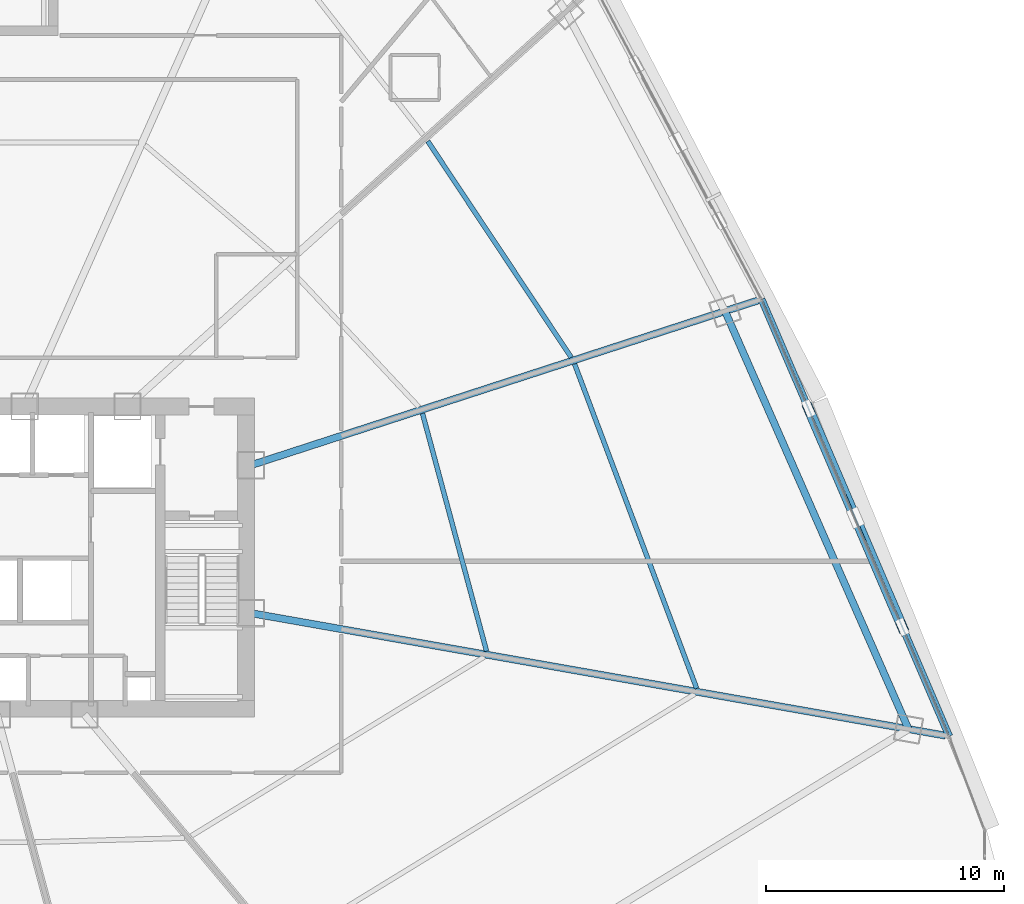
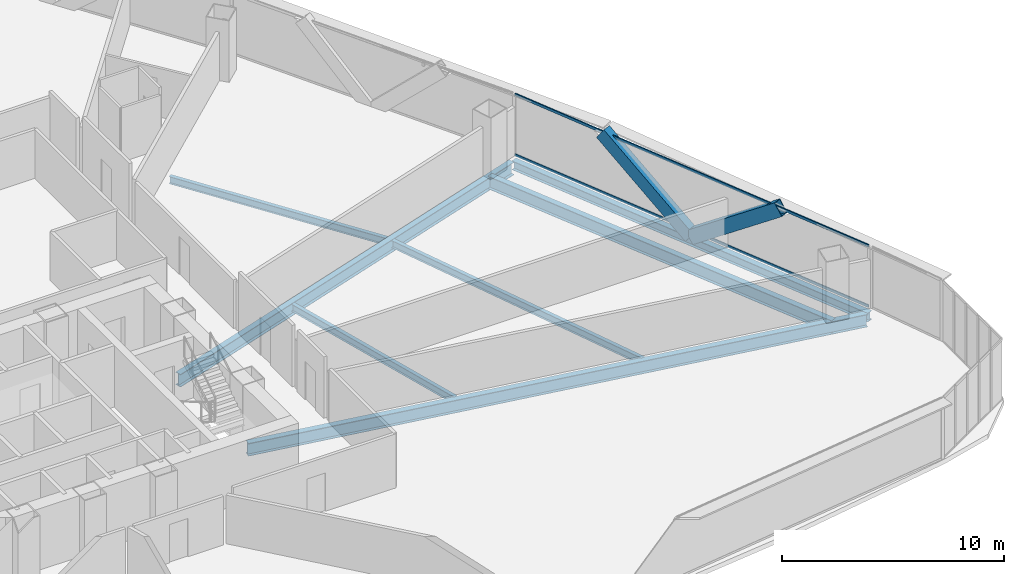
# One storey, part 24 of 42: 7 beams, 4 members, 1 element without a shape of its own.
"""IFC4 building model written with IfcOpenShell, lengths in metres."""

from ifc_helpers import new_model, si_unit, direction, frame, origin, origin_2d, place, context, subcontext, project, spatial, hollow_rectangle, i_section, extrude, source, transform, mapped, material, layer, layer_set, material_profile, profile_set, type_object, element, aggregate, save


model = new_model("IFC4")

# Units and contexts
model_context = context("Model", 3, precision=1e-05, world=origin(), true_north=direction((0.0, 1.0)))
body_context = subcontext(model_context, "Body", "Model", "MODEL_VIEW")
ifc_project = project(units=[si_unit("LENGTHUNIT", "METRE"), si_unit("AREAUNIT", "SQUARE_METRE"), si_unit("VOLUMEUNIT", "CUBIC_METRE"), si_unit("PLANEANGLEUNIT", "RADIAN"), si_unit("MASSUNIT", "GRAM", prefix="KILO"), si_unit("THERMODYNAMICTEMPERATUREUNIT", "KELVIN"), si_unit("POWERUNIT", "WATT")], contexts=[model_context])

# Site, building, storey
site_placement = place(None, origin())
site = spatial("IfcSite", under=ifc_project, at=site_placement, CompositionType="ELEMENT")
building_placement = place(site_placement, origin())
building = spatial("IfcBuilding", under=site, at=building_placement, Name="Yunzhuo Pagoda Commons", CompositionType="ELEMENT")
storey_placement = place(building_placement, frame((0.0, 0.0, 41.2900390625)))
storey = spatial("IfcBuildingStorey", under=building, at=storey_placement, Name="L10", CompositionType="ELEMENT", Elevation=41.2900390625)

# Beams
ifc_material_1 = material(Name="Structural steel Q355B", Category="steel")
ifc_material_profile_1 = material_profile(ifc_material_1, i_section(OverallWidth=0.300048828125, OverallDepth=0.699951171875, WebThickness=0.012939453125, FlangeThickness=0.02392578125, at=origin_2d()), Name="Structural steel Q355B")
ifc_profile_set_1 = profile_set([ifc_material_profile_1], Name="Structural steel Q355B")
beam_type_1 = type_object("IfcBeamType", Name="B-RG1 Beam HN 700x300x13x24", PredefinedType="BEAM", material=ifc_profile_set_1)
shared_shape_1 = source(origin(), body_context, "Body", "SweptSolid", [
    extrude(i_section(OverallWidth=0.300048828125, OverallDepth=0.699951171875, WebThickness=0.012939453125, FlangeThickness=0.02392578125, at=origin_2d()), origin(), (0.0, 0.0, 1.0), 19.18603515625),
])
beam_1_placement = place(storey_placement, frame((88.047607421875, 26.638427734375, -0.610107421875), z_axis=(-0.40196534204, 0.915654882474, 0.0), x_axis=(-0.915654882474, -0.40196534204, 0.0)))
element("IfcBeam", 1, at=beam_1_placement, inside=storey, type_object=beam_type_1, Name="L10 column-ring beam 5", PredefinedType="BEAM", context=body_context, shape_type="MappedRepresentation", body=[
    mapped(shared_shape_1, transform((0.0, 0.0, 0.0), scale=1.0)),
])
ifc_material_profile_2 = material_profile(ifc_material_1, i_section(OverallWidth=0.199951171875, OverallDepth=0.39990234375, WebThickness=0.008056640625, FlangeThickness=0.012939453125, at=origin_2d()), Name="Structural steel Q355B")
ifc_profile_set_2 = profile_set([ifc_material_profile_2], Name="Structural steel Q355B")
beam_type_2 = type_object("IfcBeamType", Name="B-JS1 Joist HN 400x200x8x13", PredefinedType="JOIST", material=ifc_profile_set_2)
shared_shape_2 = source(origin(), body_context, "Body", "SweptSolid", [
    extrude(i_section(OverallWidth=0.199951171875, OverallDepth=0.39990234375, WebThickness=0.008056640625, FlangeThickness=0.012939453125, at=origin_2d()), origin(), (0.0, 0.0, 1.0), 10.351806640625),
])
beam_2_placement = place(storey_placement, frame((70.311767578125, 29.912109375, -0.4599609375), z_axis=(-0.260208595802, 0.965552425646, 0.0), x_axis=(-0.965552425646, -0.260208595802, 0.0)))
element("IfcBeam", 2, at=beam_2_placement, inside=storey, type_object=beam_type_2, Name="L10 composite ring joist 1.5", PredefinedType="JOIST", context=body_context, shape_type="MappedRepresentation", body=[
    mapped(shared_shape_2, transform((0.0, 0.0, 0.0), scale=1.0)),
])
shared_shape_3 = source(origin(), body_context, "Body", "SweptSolid", [
    extrude(i_section(OverallWidth=0.199951171875, OverallDepth=0.39990234375, WebThickness=0.008056640625, FlangeThickness=0.012939453125, at=origin_2d()), origin(), (0.0, 0.0, 1.0), 14.571044921875),
])
beam_3_placement = place(storey_placement, frame((79.144287109375, 28.347412109375, -0.4599609375), z_axis=(-0.352208383632, 0.935921607027, 0.0), x_axis=(-0.935921607027, -0.352208383632, 0.0)))
element("IfcBeam", 3, at=beam_3_placement, inside=storey, type_object=beam_type_2, Name="L10 composite ring joist 2.5", PredefinedType="JOIST", context=body_context, shape_type="MappedRepresentation", body=[
    mapped(shared_shape_3, transform((0.0, 0.0, 0.0), scale=1.0)),
])
shared_shape_4 = source(origin(), body_context, "Body", "SweptSolid", [
    extrude(i_section(OverallWidth=0.199951171875, OverallDepth=0.39990234375, WebThickness=0.008056640625, FlangeThickness=0.012939453125, at=origin_2d()), origin(), (0.0, 0.0, 1.0), 10.904052734375),
])
beam_4_placement = place(storey_placement, frame((73.8681640625, 42.26611328125, -0.4599609375), z_axis=(-0.552916349928, 0.833236767061, 0.0), x_axis=(-0.833236767061, -0.552916349928, 0.0)))
element("IfcBeam", 4, at=beam_4_placement, inside=storey, type_object=beam_type_2, Name="L10 composite ring joist 2.6", PredefinedType="JOIST", context=body_context, shape_type="MappedRepresentation", body=[
    mapped(shared_shape_4, transform((0.0, 0.0, 0.0), scale=1.0)),
])
shared_shape_5 = source(origin(), body_context, "Body", "SweptSolid", [
    extrude(i_section(OverallWidth=0.300048828125, OverallDepth=0.699951171875, WebThickness=0.012939453125, FlangeThickness=0.02392578125, at=origin_2d()), origin(), (0.0, 0.0, 1.0), 29.657470703125),
])
beam_5_placement = place(storey_placement, frame((89.60693359375, 26.363525390625, -0.610107421875), z_axis=(-0.984808244815, 0.173645388492, 0.0), x_axis=(-0.173645388492, -0.984808244815, 0.0)))
element("IfcBeam", 5, at=beam_5_placement, inside=storey, type_object=beam_type_1, Name="L10 radial floor girder F2C1", PredefinedType="BEAM", context=body_context, shape_type="MappedRepresentation", body=[
    mapped(shared_shape_5, transform((0.0, 0.0, 0.0), scale=1.0)),
])
shared_shape_6 = source(origin(), body_context, "Body", "SweptSolid", [
    extrude(i_section(OverallWidth=0.300048828125, OverallDepth=0.699951171875, WebThickness=0.012939453125, FlangeThickness=0.02392578125, at=origin_2d()), origin(), (0.0, 0.0, 1.0), 22.421875),
])
beam_6_placement = place(storey_placement, frame((81.724365234375, 44.65771484375, -0.610107421875), z_axis=(-0.951056871076, -0.309015902469, 0.0), x_axis=(0.309015902469, -0.951056871076, 0.0)))
element("IfcBeam", 6, at=beam_6_placement, inside=storey, type_object=beam_type_1, Name="L10 radial floor girder F2C2", PredefinedType="BEAM", context=body_context, shape_type="MappedRepresentation", body=[
    mapped(shared_shape_6, transform((0.0, 0.0, 0.0), scale=1.0)),
])
ifc_material_profile_3 = material_profile(ifc_material_1, i_section(OverallWidth=0.300048828125, OverallDepth=0.488037109375, WebThickness=0.010986328125, FlangeThickness=0.01806640625, at=origin_2d()), Name="Structural steel Q355B")
ifc_profile_set_3 = profile_set([ifc_material_profile_3], Name="Structural steel Q355B")
beam_type_3 = type_object("IfcBeamType", Name="B-SP1 Beam HM 488x300x11x18", PredefinedType="BEAM", material=ifc_profile_set_3)
shared_shape_7 = source(origin(), body_context, "Body", "SweptSolid", [
    extrude(i_section(OverallWidth=0.300048828125, OverallDepth=0.488037109375, WebThickness=0.010986328125, FlangeThickness=0.01806640625, at=origin_2d()), origin(), (0.0, 0.0, 1.0), 19.990966796875),
])
beam_7_placement = place(storey_placement, frame((89.759765625, 26.336669921875, -0.504150390625), z_axis=(-0.394586883205, 0.918858635266, 0.0), x_axis=(-0.918858635266, -0.394586883205, 0.0)))
element("IfcBeam", 7, at=beam_7_placement, inside=storey, type_object=beam_type_3, Name="L10 facade edge spandrel beam F2.1", PredefinedType="BEAM", context=body_context, shape_type="MappedRepresentation", body=[
    mapped(shared_shape_7, transform((0.0, 0.0, 0.0), scale=1.0)),
])

# Members
ifc_material_2 = material(Name="Structural steel Q420B", Category="steel")
ifc_material_profile_4 = material_profile(ifc_material_2, hollow_rectangle(XDim=0.419921875, YDim=0.719970703125, WallThickness=0.028076171875, at=origin_2d()), Name="Structural steel Q420B")
ifc_profile_set_4 = profile_set([ifc_material_profile_4], Name="Structural steel Q420B")
member_type_1 = type_object("IfcMemberType", Name="M-DL1 Brace BOX 720x420x28", PredefinedType="BRACE", material=ifc_profile_set_4)
shared_shape_8 = source(origin(), body_context, "Body", "SweptSolid", [
    extrude(hollow_rectangle(XDim=0.419921875, YDim=0.719970703125, WallThickness=0.028076171875, at=origin_2d()), origin(), (0.0, 0.0, 1.0), 6.1767578125),
])
member_1_placement = place(storey_placement, frame((85.815673828125, 35.52099609375, -0.260009765625), z_axis=(0.319253043382, -0.743448123434, 0.58767540535), x_axis=(0.918861786728, 0.394579544441, 0.0)))
element("IfcMember", 8, at=member_1_placement, inside=storey, type_object=member_type_1, Name="L10 facade diamond brace F2.1L", PredefinedType="BRACE", context=body_context, shape_type="MappedRepresentation", body=[
    mapped(shared_shape_8, transform((0.0, 0.0, 0.0), scale=1.0)),
])
shared_shape_9 = source(origin(), body_context, "Body", "SweptSolid", [
    extrude(hollow_rectangle(XDim=0.419921875, YDim=0.719970703125, WallThickness=0.028076171875, at=origin_2d()), origin(), (0.0, 0.0, 1.0), 6.177001953125),
])
member_2_placement = place(storey_placement, frame((85.815673828125, 35.52099609375, -0.260009765625), z_axis=(-0.319279158185, 0.743456420583, 0.587650720958), x_axis=(-0.918851680961, -0.394603077023, 0.0)))
element("IfcMember", 9, at=member_2_placement, inside=storey, type_object=member_type_1, Name="L10 facade diamond brace F2.1R", PredefinedType="BRACE", context=body_context, shape_type="MappedRepresentation", body=[
    mapped(shared_shape_9, transform((0.0, 0.0, 0.0), scale=1.0)),
])

# Curtain wall, members
ifc_material_3 = material(Name="Anodized aluminium 6063-T6", Category="aluminium")
ifc_layer = layer(ifc_material_3, 0.1650390625)
ifc_layer_set = layer_set([ifc_layer], Name="Anodized aluminium 6063-T6")
curtain_wall_type = type_object("IfcCurtainWallType", Name="CW-LOW Low-Zone Ribbon Curtain Wall", PredefinedType="NOTDEFINED", material=ifc_layer_set)
curtain_wall_placement = place(storey_placement, origin())
curtain_wall = element("IfcCurtainWall", 10, at=curtain_wall_placement, inside=storey, type_object=curtain_wall_type, Name="L10 curtain wall CW-L10-F2B2", PredefinedType="NOTDEFINED")
ifc_material_profile_5 = material_profile(ifc_material_3, hollow_rectangle(XDim=0.06005859375, YDim=0.139892578125, WallThickness=0.00341796875, at=origin_2d()), Name="Anodized aluminium 6063-T6")
ifc_profile_set_5 = profile_set([ifc_material_profile_5], Name="Anodized aluminium 6063-T6")
member_type_2 = type_object("IfcMemberType", Name="CW-LOW-T Transom RHS 140x60x3.5", PredefinedType="USERDEFINED", material=ifc_profile_set_5)
shared_shape_10 = source(origin(), body_context, "Body", "SweptSolid", [
    extrude(hollow_rectangle(XDim=0.06005859375, YDim=0.139892578125, WallThickness=0.00341796875, at=origin_2d()), origin(), (0.0, 0.0, 1.0), 19.860595703125),
])
member_3_placement = place(storey_placement, frame((89.73388671875, 26.396484375, 0.030029296875), z_axis=(-0.39457049988, 0.918865670611, 0.0), x_axis=(-0.918865670611, -0.39457049988, 0.0)))
member_3 = element("IfcMember", 11, at=member_3_placement, type_object=member_type_2, Name="CW transom 1.1", ObjectType="TRANSOM", PredefinedType="USERDEFINED", context=body_context, shape_type="MappedRepresentation", body=[
    mapped(shared_shape_10, transform((0.0, 0.0, 0.0), scale=1.0)),
])
member_4_placement = place(storey_placement, frame((89.73388671875, 26.396484375, 3.33984375), z_axis=(-0.39457049988, 0.918865670611, 0.0), x_axis=(-0.918865670611, -0.39457049988, 0.0)))
member_4 = element("IfcMember", 12, at=member_4_placement, type_object=member_type_2, Name="CW transom 1.2", ObjectType="TRANSOM", PredefinedType="USERDEFINED", context=body_context, shape_type="MappedRepresentation", body=[
    mapped(shared_shape_10, transform((0.0, 0.0, 0.0), scale=1.0)),
])
aggregate(curtain_wall, [member_3, member_4])

save(model, "model.ifc")
